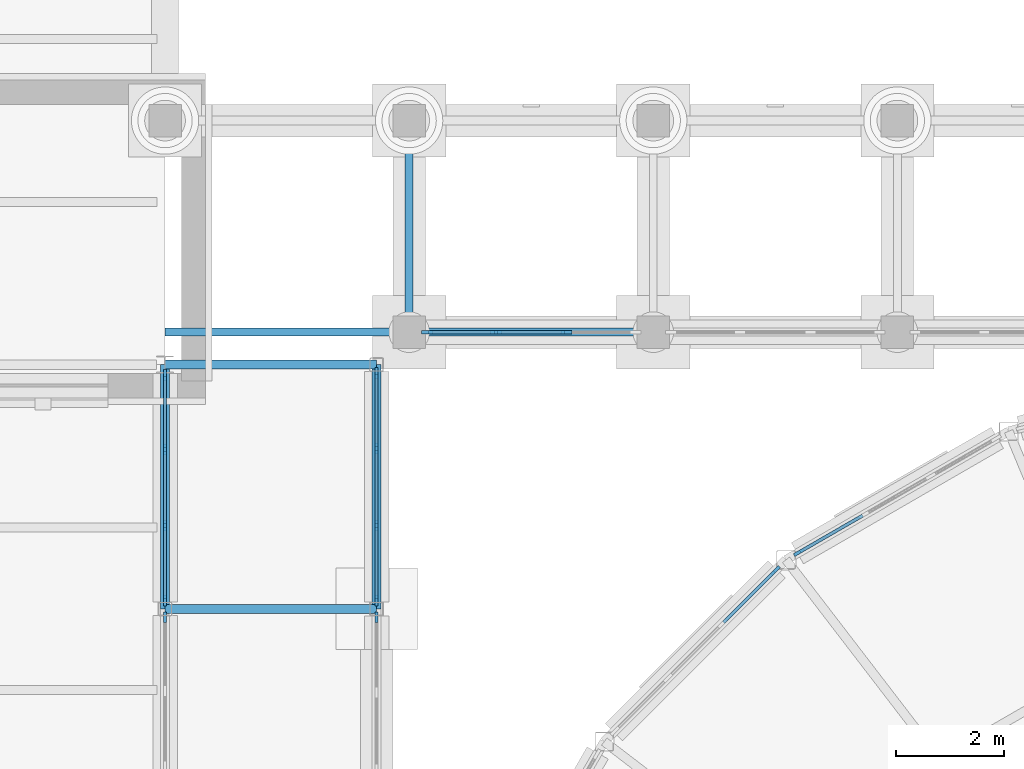
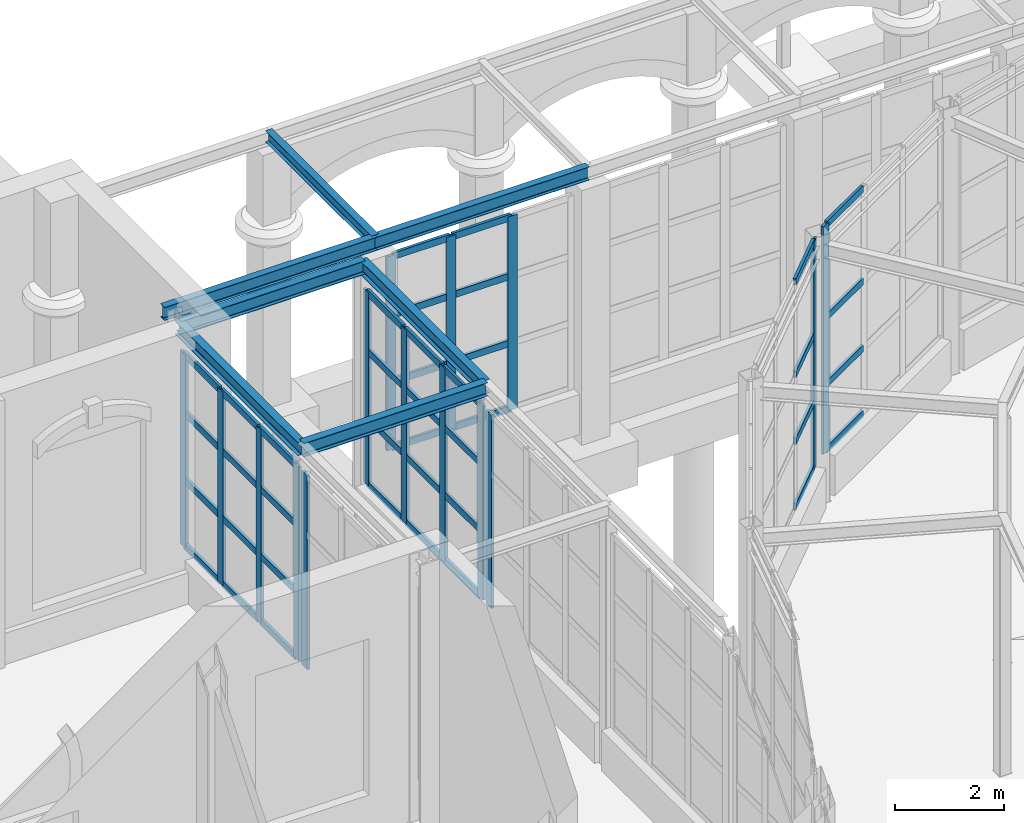
# One storey, part 33 of 106: 55 members, 7 beams, 7 elements without a shape of their own.
"""IFC4 building model written with IfcOpenShell, lengths in metres."""

from ifc_helpers import new_model, si_unit, direction, frame, origin, origin_2d, place, context, subcontext, project, spatial, rectangle, i_section, extrude, material, layer, layer_set, material_profile, profile_set, type_object, element, aggregate, save


model = new_model("IFC4")

# Units and contexts
model_context = context("Model", 3, precision=1e-05, world=origin(), true_north=direction((0.0, 1.0)))
body_context = subcontext(model_context, "Body", "Model", "MODEL_VIEW")
ifc_project = project(units=[si_unit("LENGTHUNIT", "METRE"), si_unit("AREAUNIT", "SQUARE_METRE"), si_unit("VOLUMEUNIT", "CUBIC_METRE"), si_unit("PLANEANGLEUNIT", "RADIAN"), si_unit("MASSUNIT", "GRAM", prefix="KILO")], contexts=[model_context])

# Site, building, storey
site_placement = place(None, origin())
site = spatial("IfcSite", under=ifc_project, at=site_placement, CompositionType="ELEMENT")
building_placement = place(site_placement, origin())
building = spatial("IfcBuilding", under=site, at=building_placement, Name="Hortulan Conservatory and Botanical Research Centre", CompositionType="ELEMENT")
storey_placement = place(building_placement, origin())
storey = spatial("IfcBuildingStorey", under=building, at=storey_placement, Name="L00", CompositionType="ELEMENT", Elevation=0.0)

# Beams
ifc_material_1 = material(Name="Steel Grade 300PLUS (AS/NZS 3679.1, 280 MPa minimum yield)", Category="steel")
ifc_material_profile_1 = material_profile(ifc_material_1, i_section(OverallWidth=0.14599609375, OverallDepth=0.251953125, WebThickness=0.006103515625, FlangeThickness=0.008544921875, FilletRadius=0.0087890625, at=origin_2d()), Name="250UB31.4")
ifc_profile_set_1 = profile_set([ifc_material_profile_1], Name="Steel Grade 300PLUS (AS/NZS 3679.1, 280 MPa minimum yield)")
beam_type_1 = type_object("IfcBeamType", Name="Arcade Cross Beam 250UB31.4", PredefinedType="BEAM", material=ifc_profile_set_1)
beam_placement = place(storey_placement, frame((36.0, 36.60009765625, 5.674072265625), z_axis=(0.0, 1.0, 0.0), x_axis=(-1.0, 0.0, 0.0)))
element("IfcBeam", 1, at=beam_placement, inside=storey, type_object=beam_type_1, Name="Arcade cross beam 19", PredefinedType="BEAM", context=body_context, shape_type="SweptSolid", body=[
    extrude(i_section(OverallWidth=0.14599609375, OverallDepth=0.251953125, WebThickness=0.006103515625, FlangeThickness=0.008544921875, FilletRadius=0.0087890625, at=origin_2d()), origin(), (0.0, 0.0, 1.0), 3.89990234375),
])
ifc_material_profile_2 = material_profile(ifc_material_1, i_section(OverallWidth=0.14892578125, OverallDepth=0.298095703125, WebThickness=0.005615234375, FlangeThickness=0.008056640625, FilletRadius=0.012939453125, at=origin_2d()), Name="310UB32.0")
ifc_profile_set_2 = profile_set([ifc_material_profile_2], Name="Steel Grade 300PLUS (AS/NZS 3679.1, 280 MPa minimum yield)")
beam_type_2 = type_object("IfcBeamType", Name="Arcade Rear Beam 310UB32.0", PredefinedType="BEAM", material=ifc_profile_set_2)
for number, where, z_axis, x_axis, name in (
    (2, (31.5, 36.60009765625, 5.65087890625), (1.0, 0.0, 0.0), (0.0, 1.0, 0.0), "Arcade rear beam 10"),
    (3, (36.0, 36.60009765625, 5.65087890625), (1.0, 0.0, 0.0), (0.0, 1.0, 0.0), "Arcade rear beam 11"),
):
    element("IfcBeam", number, at=place(storey_placement, frame(where, z_axis=z_axis, x_axis=x_axis)), inside=storey, type_object=beam_type_2, Name=name, PredefinedType="BEAM", context=body_context, shape_type="SweptSolid", body=[
        extrude(i_section(OverallWidth=0.14892578125, OverallDepth=0.298095703125, WebThickness=0.005615234375, FlangeThickness=0.008056640625, FilletRadius=0.012939453125, at=origin_2d()), origin(), (0.0, 0.0, 1.0), 4.5),
    ])

# Curtain wall, member
ifc_material_2 = material(Name="Bronze-finished aluminium", Category="aluminium")
ifc_layer = layer(ifc_material_2, 0.10009765625)
ifc_layer_set = layer_set([ifc_layer], Name="Bronze-framed Curtain Wall 1500 module")
curtain_wall_type = type_object("IfcCurtainWallType", Name="Bronze-framed Curtain Wall 1500 module", PredefinedType="NOTDEFINED", material=ifc_layer_set)
curtain_wall_1_placement = place(storey_placement, origin())
curtain_wall_1 = element("IfcCurtainWall", 4, at=curtain_wall_1_placement, inside=storey, type_object=curtain_wall_type, Name="Curtain wall", PredefinedType="NOTDEFINED")
ifc_material_profile_3 = material_profile(ifc_material_2, rectangle(XDim=0.06005859375, YDim=0.199951171875, at=origin_2d()), Name="Bronze Mullion 60x200")
ifc_profile_set_3 = profile_set([ifc_material_profile_3], Name="Bronze-finished aluminium")
member_type_1 = type_object("IfcMemberType", Name="Bronze Mullion 60x200", PredefinedType="MULLION", material=ifc_profile_set_3)
member_1_placement = place(storey_placement, frame((43.18115234375, 32.538330078125, 0.89990234375), z_axis=(0.0, 0.0, 1.0), x_axis=(-0.499981160235, 0.866036280655, 0.0)))
member_1 = element("IfcMember", 5, at=member_1_placement, type_object=member_type_1, Name="CW1 mullion 1", PredefinedType="MULLION", context=body_context, shape_type="SweptSolid", body=[
    extrude(rectangle(XDim=0.06005859375, YDim=0.199951171875, at=origin_2d()), origin(), (0.0, 0.0, 1.0), 5.10009765625),
])

curtain_wall_2_placement = place(storey_placement, origin())
curtain_wall_2 = element("IfcCurtainWall", 6, at=curtain_wall_2_placement, inside=storey, type_object=curtain_wall_type, Name="Curtain wall", PredefinedType="NOTDEFINED")
member_2_placement = place(storey_placement, frame((42.751953125, 32.207763671875, 0.89990234375), z_axis=(0.0, 0.0, 1.0), x_axis=(-0.707118558159, 0.707095004018, 0.0)))
member_2 = element("IfcMember", 7, at=member_2_placement, type_object=member_type_1, Name="CW1 mullion 4", PredefinedType="MULLION", context=body_context, shape_type="SweptSolid", body=[
    extrude(rectangle(XDim=0.06005859375, YDim=0.199951171875, at=origin_2d()), origin(), (0.0, 0.0, 1.0), 5.10009765625),
])

# Curtain wall, members
curtain_wall_3_placement = place(storey_placement, origin())
curtain_wall_3 = element("IfcCurtainWall", 8, at=curtain_wall_3_placement, inside=storey, type_object=curtain_wall_type, Name="Curtain wall", PredefinedType="NOTDEFINED")
member_3_placement = place(storey_placement, frame((35.39990234375, 35.844970703125, 0.89990234375), z_axis=(0.0, 0.0, 1.0), x_axis=(1.0, 0.0, 0.0)))
member_3 = element("IfcMember", 9, at=member_3_placement, type_object=member_type_1, Name="CW1 mullion 1", PredefinedType="MULLION", context=body_context, shape_type="SweptSolid", body=[
    extrude(rectangle(XDim=0.06005859375, YDim=0.199951171875, at=origin_2d()), origin(), (0.0, 0.0, 1.0), 4.340087890625),
])
member_4_placement = place(storey_placement, frame((35.39990234375, 34.458251953125, 0.89990234375), z_axis=(0.0, 0.0, 1.0), x_axis=(1.0, 0.0, 0.0)))
member_4 = element("IfcMember", 10, at=member_4_placement, type_object=member_type_1, Name="CW1 mullion 2", PredefinedType="MULLION", context=body_context, shape_type="SweptSolid", body=[
    extrude(rectangle(XDim=0.06005859375, YDim=0.199951171875, at=origin_2d()), origin(), (0.0, 0.0, 1.0), 4.340087890625),
])
member_5_placement = place(storey_placement, frame((35.39990234375, 33.041748046875, 0.89990234375), z_axis=(0.0, 0.0, 1.0), x_axis=(1.0, 0.0, 0.0)))
member_5 = element("IfcMember", 11, at=member_5_placement, type_object=member_type_1, Name="CW1 mullion 3", PredefinedType="MULLION", context=body_context, shape_type="SweptSolid", body=[
    extrude(rectangle(XDim=0.06005859375, YDim=0.199951171875, at=origin_2d()), origin(), (0.0, 0.0, 1.0), 4.340087890625),
])
member_6_placement = place(storey_placement, frame((35.39990234375, 31.655029296875, 0.89990234375), z_axis=(0.0, 0.0, 1.0), x_axis=(1.0, 0.0, 0.0)))
member_6 = element("IfcMember", 12, at=member_6_placement, type_object=member_type_1, Name="CW1 mullion 4", PredefinedType="MULLION", context=body_context, shape_type="SweptSolid", body=[
    extrude(rectangle(XDim=0.06005859375, YDim=0.199951171875, at=origin_2d()), origin(), (0.0, 0.0, 1.0), 4.340087890625),
])

# Curtain wall, member
curtain_wall_4_placement = place(storey_placement, origin())
curtain_wall_4 = element("IfcCurtainWall", 13, at=curtain_wall_4_placement, inside=storey, type_object=curtain_wall_type, Name="Curtain wall", PredefinedType="NOTDEFINED")
member_7_placement = place(storey_placement, frame((35.39990234375, 31.344970703125, 0.89990234375), z_axis=(0.0, 0.0, 1.0), x_axis=(1.0, 0.0, 0.0)))
member_7 = element("IfcMember", 14, at=member_7_placement, type_object=member_type_1, Name="CW1 mullion 1", PredefinedType="MULLION", context=body_context, shape_type="SweptSolid", body=[
    extrude(rectangle(XDim=0.06005859375, YDim=0.199951171875, at=origin_2d()), origin(), (0.0, 0.0, 1.0), 4.340087890625),
])
aggregate(curtain_wall_4, [member_7])

curtain_wall_5_placement = place(storey_placement, origin())
curtain_wall_5 = element("IfcCurtainWall", 15, at=curtain_wall_5_placement, inside=storey, type_object=curtain_wall_type, Name="Curtain wall", PredefinedType="NOTDEFINED")
member_8_placement = place(storey_placement, frame((31.5, 31.344970703125, 0.89990234375), z_axis=(0.0, 0.0, 1.0), x_axis=(-1.0, 0.0, 0.0)))
member_8 = element("IfcMember", 16, at=member_8_placement, type_object=member_type_1, Name="CW1 mullion 4", PredefinedType="MULLION", context=body_context, shape_type="SweptSolid", body=[
    extrude(rectangle(XDim=0.06005859375, YDim=0.199951171875, at=origin_2d()), origin(), (0.0, 0.0, 1.0), 4.340087890625),
])
aggregate(curtain_wall_5, [member_8])

# Curtain wall, members
curtain_wall_6_placement = place(storey_placement, origin())
curtain_wall_6 = element("IfcCurtainWall", 17, at=curtain_wall_6_placement, inside=storey, type_object=curtain_wall_type, Name="Curtain wall", PredefinedType="NOTDEFINED")
member_9_placement = place(storey_placement, frame((31.5, 31.655029296875, 0.89990234375), z_axis=(0.0, 0.0, 1.0), x_axis=(-1.0, 0.0, 0.0)))
member_9 = element("IfcMember", 18, at=member_9_placement, type_object=member_type_1, Name="CW1 mullion 1", PredefinedType="MULLION", context=body_context, shape_type="SweptSolid", body=[
    extrude(rectangle(XDim=0.06005859375, YDim=0.199951171875, at=origin_2d()), origin(), (0.0, 0.0, 1.0), 4.340087890625),
])
member_10_placement = place(storey_placement, frame((31.5, 33.02978515625, 0.89990234375), z_axis=(0.0, 0.0, 1.0), x_axis=(-1.0, 0.0, 0.0)))
member_10 = element("IfcMember", 19, at=member_10_placement, type_object=member_type_1, Name="CW1 mullion 2", PredefinedType="MULLION", context=body_context, shape_type="SweptSolid", body=[
    extrude(rectangle(XDim=0.06005859375, YDim=0.199951171875, at=origin_2d()), origin(), (0.0, 0.0, 1.0), 4.340087890625),
])
member_11_placement = place(storey_placement, frame((31.5, 34.4345703125, 0.89990234375), z_axis=(0.0, 0.0, 1.0), x_axis=(-1.0, 0.0, 0.0)))
member_11 = element("IfcMember", 20, at=member_11_placement, type_object=member_type_1, Name="CW1 mullion 3", PredefinedType="MULLION", context=body_context, shape_type="SweptSolid", body=[
    extrude(rectangle(XDim=0.06005859375, YDim=0.199951171875, at=origin_2d()), origin(), (0.0, 0.0, 1.0), 4.340087890625),
])
member_12_placement = place(storey_placement, frame((31.5, 35.8095703125, 0.89990234375), z_axis=(0.0, 0.0, 1.0), x_axis=(-1.0, 0.0, 0.0)))
member_12 = element("IfcMember", 21, at=member_12_placement, type_object=member_type_1, Name="CW1 mullion 4", PredefinedType="MULLION", context=body_context, shape_type="SweptSolid", body=[
    extrude(rectangle(XDim=0.06005859375, YDim=0.199951171875, at=origin_2d()), origin(), (0.0, 0.0, 1.0), 4.340087890625),
])

curtain_wall_7_placement = place(storey_placement, origin())
curtain_wall_7 = element("IfcCurtainWall", 22, at=curtain_wall_7_placement, inside=storey, type_object=curtain_wall_type, Name="Curtain wall", PredefinedType="NOTDEFINED")
member_13_placement = place(storey_placement, frame((36.330078125, 36.60009765625, 0.89990234375), z_axis=(0.0, 0.0, 1.0), x_axis=(0.0, 1.0, 0.0)))
member_13 = element("IfcMember", 23, at=member_13_placement, type_object=member_type_1, Name="CW1 mullion 1", PredefinedType="MULLION", context=body_context, shape_type="SweptSolid", body=[
    extrude(rectangle(XDim=0.06005859375, YDim=0.199951171875, at=origin_2d()), origin(), (0.0, 0.0, 1.0), 4.340087890625),
])
member_14_placement = place(storey_placement, frame((37.60009765625, 36.60009765625, 0.89990234375), z_axis=(0.0, 0.0, 1.0), x_axis=(0.0, 1.0, 0.0)))
member_14 = element("IfcMember", 24, at=member_14_placement, type_object=member_type_1, Name="CW1 mullion 2", PredefinedType="MULLION", context=body_context, shape_type="SweptSolid", body=[
    extrude(rectangle(XDim=0.06005859375, YDim=0.199951171875, at=origin_2d()), origin(), (0.0, 0.0, 1.0), 4.340087890625),
])
member_15_placement = place(storey_placement, frame((38.89990234375, 36.60009765625, 0.89990234375), z_axis=(0.0, 0.0, 1.0), x_axis=(0.0, 1.0, 0.0)))
member_15 = element("IfcMember", 25, at=member_15_placement, type_object=member_type_1, Name="CW1 mullion 3", PredefinedType="MULLION", context=body_context, shape_type="SweptSolid", body=[
    extrude(rectangle(XDim=0.06005859375, YDim=0.199951171875, at=origin_2d()), origin(), (0.0, 0.0, 1.0), 4.340087890625),
])

# Member
ifc_material_profile_4 = material_profile(ifc_material_2, rectangle(XDim=0.06005859375, YDim=0.14990234375, at=origin_2d()), Name="Bronze Transom 60x150")
ifc_profile_set_4 = profile_set([ifc_material_profile_4], Name="Bronze-finished aluminium")
member_type_2 = type_object("IfcMemberType", Name="Bronze Transom 60x150", PredefinedType="USERDEFINED", material=ifc_profile_set_4)
member_16_placement = place(storey_placement, frame((43.20703125, 32.553466796875, 0.929931640625), z_axis=(0.866066400931, 0.499928984136, 0.0), x_axis=(-0.499928984136, 0.866066400931, 0.0)))
member_16 = element("IfcMember", 26, at=member_16_placement, type_object=member_type_2, Name="CW1 transom 1.1", ObjectType="TRANSOM", PredefinedType="USERDEFINED", context=body_context, shape_type="SweptSolid", body=[
    extrude(rectangle(XDim=0.06005859375, YDim=0.14990234375, at=origin_2d()), origin(), (0.0, 0.0, 1.0), 1.330322265625),
])

member_17_placement = place(storey_placement, frame((43.20703125, 32.553466796875, 2.39990234375), z_axis=(0.866066400931, 0.499928984136, 0.0), x_axis=(-0.499928984136, 0.866066400931, 0.0)))
member_17 = element("IfcMember", 27, at=member_17_placement, type_object=member_type_2, Name="CW1 transom 1.2", ObjectType="TRANSOM", PredefinedType="USERDEFINED", context=body_context, shape_type="SweptSolid", body=[
    extrude(rectangle(XDim=0.06005859375, YDim=0.14990234375, at=origin_2d()), origin(), (0.0, 0.0, 1.0), 1.330322265625),
])

member_18_placement = place(storey_placement, frame((43.20703125, 32.553466796875, 3.89990234375), z_axis=(0.866066400931, 0.499928984136, 0.0), x_axis=(-0.499928984136, 0.866066400931, 0.0)))
member_18 = element("IfcMember", 28, at=member_18_placement, type_object=member_type_2, Name="CW1 transom 1.3", ObjectType="TRANSOM", PredefinedType="USERDEFINED", context=body_context, shape_type="SweptSolid", body=[
    extrude(rectangle(XDim=0.06005859375, YDim=0.14990234375, at=origin_2d()), origin(), (0.0, 0.0, 1.0), 1.330322265625),
])

member_19_placement = place(storey_placement, frame((43.20703125, 32.553466796875, 5.969970703125), z_axis=(0.866066400931, 0.499928984136, 0.0), x_axis=(-0.499928984136, 0.866066400931, 0.0)))
member_19 = element("IfcMember", 29, at=member_19_placement, type_object=member_type_2, Name="CW1 transom 1.4", ObjectType="TRANSOM", PredefinedType="USERDEFINED", context=body_context, shape_type="SweptSolid", body=[
    extrude(rectangle(XDim=0.06005859375, YDim=0.14990234375, at=origin_2d()), origin(), (0.0, 0.0, 1.0), 1.330322265625),
])

aggregate(curtain_wall_1, [member_1, member_16, member_17, member_18, member_19])

member_20_placement = place(storey_placement, frame((41.793701171875, 31.24951171875, 0.929931640625), z_axis=(0.707106781187, 0.707106781187, 0.0), x_axis=(-0.707106781187, 0.707106781187, 0.0)))
member_20 = element("IfcMember", 30, at=member_20_placement, type_object=member_type_2, Name="CW1 transom 3.1", ObjectType="TRANSOM", PredefinedType="USERDEFINED", context=body_context, shape_type="SweptSolid", body=[
    extrude(rectangle(XDim=0.06005859375, YDim=0.14990234375, at=origin_2d()), origin(), (0.0, 0.0, 1.0), 1.3251953125),
])

member_21_placement = place(storey_placement, frame((41.793701171875, 31.24951171875, 2.39990234375), z_axis=(0.707106781187, 0.707106781187, 0.0), x_axis=(-0.707106781187, 0.707106781187, 0.0)))
member_21 = element("IfcMember", 31, at=member_21_placement, type_object=member_type_2, Name="CW1 transom 3.2", ObjectType="TRANSOM", PredefinedType="USERDEFINED", context=body_context, shape_type="SweptSolid", body=[
    extrude(rectangle(XDim=0.06005859375, YDim=0.14990234375, at=origin_2d()), origin(), (0.0, 0.0, 1.0), 1.3251953125),
])

member_22_placement = place(storey_placement, frame((41.793701171875, 31.24951171875, 3.89990234375), z_axis=(0.707106781187, 0.707106781187, 0.0), x_axis=(-0.707106781187, 0.707106781187, 0.0)))
member_22 = element("IfcMember", 32, at=member_22_placement, type_object=member_type_2, Name="CW1 transom 3.3", ObjectType="TRANSOM", PredefinedType="USERDEFINED", context=body_context, shape_type="SweptSolid", body=[
    extrude(rectangle(XDim=0.06005859375, YDim=0.14990234375, at=origin_2d()), origin(), (0.0, 0.0, 1.0), 1.3251953125),
])

member_23_placement = place(storey_placement, frame((41.793701171875, 31.24951171875, 5.969970703125), z_axis=(0.707106781187, 0.707106781187, 0.0), x_axis=(-0.707106781187, 0.707106781187, 0.0)))
member_23 = element("IfcMember", 33, at=member_23_placement, type_object=member_type_2, Name="CW1 transom 3.4", ObjectType="TRANSOM", PredefinedType="USERDEFINED", context=body_context, shape_type="SweptSolid", body=[
    extrude(rectangle(XDim=0.06005859375, YDim=0.14990234375, at=origin_2d()), origin(), (0.0, 0.0, 1.0), 1.3251953125),
])

aggregate(curtain_wall_2, [member_2, member_20, member_21, member_22, member_23])

member_24_placement = place(storey_placement, frame((35.39990234375, 35.81494140625, 0.929931640625), z_axis=(0.0, -1.0, 0.0), x_axis=(1.0, 0.0, 0.0)))
member_24 = element("IfcMember", 34, at=member_24_placement, type_object=member_type_2, Name="CW1 transom 1.1", ObjectType="TRANSOM", PredefinedType="USERDEFINED", context=body_context, shape_type="SweptSolid", body=[
    extrude(rectangle(XDim=0.06005859375, YDim=0.14990234375, at=origin_2d()), origin(), (0.0, 0.0, 1.0), 1.32666015625),
])

member_25_placement = place(storey_placement, frame((35.39990234375, 35.81494140625, 2.39990234375), z_axis=(0.0, -1.0, 0.0), x_axis=(1.0, 0.0, 0.0)))
member_25 = element("IfcMember", 35, at=member_25_placement, type_object=member_type_2, Name="CW1 transom 1.2", ObjectType="TRANSOM", PredefinedType="USERDEFINED", context=body_context, shape_type="SweptSolid", body=[
    extrude(rectangle(XDim=0.06005859375, YDim=0.14990234375, at=origin_2d()), origin(), (0.0, 0.0, 1.0), 1.32666015625),
])

member_26_placement = place(storey_placement, frame((35.39990234375, 35.81494140625, 3.89990234375), z_axis=(0.0, -1.0, 0.0), x_axis=(1.0, 0.0, 0.0)))
member_26 = element("IfcMember", 36, at=member_26_placement, type_object=member_type_2, Name="CW1 transom 1.3", ObjectType="TRANSOM", PredefinedType="USERDEFINED", context=body_context, shape_type="SweptSolid", body=[
    extrude(rectangle(XDim=0.06005859375, YDim=0.14990234375, at=origin_2d()), origin(), (0.0, 0.0, 1.0), 1.32666015625),
])

member_27_placement = place(storey_placement, frame((35.39990234375, 35.81494140625, 5.2099609375), z_axis=(0.0, -1.0, 0.0), x_axis=(1.0, 0.0, 0.0)))
member_27 = element("IfcMember", 37, at=member_27_placement, type_object=member_type_2, Name="CW1 transom 1.4", ObjectType="TRANSOM", PredefinedType="USERDEFINED", context=body_context, shape_type="SweptSolid", body=[
    extrude(rectangle(XDim=0.06005859375, YDim=0.14990234375, at=origin_2d()), origin(), (0.0, 0.0, 1.0), 1.32666015625),
])

member_28_placement = place(storey_placement, frame((35.39990234375, 34.42822265625, 0.929931640625), z_axis=(0.0, -1.0, 0.0), x_axis=(1.0, 0.0, 0.0)))
member_28 = element("IfcMember", 38, at=member_28_placement, type_object=member_type_2, Name="CW1 transom 2.1", ObjectType="TRANSOM", PredefinedType="USERDEFINED", context=body_context, shape_type="SweptSolid", body=[
    extrude(rectangle(XDim=0.06005859375, YDim=0.14990234375, at=origin_2d()), origin(), (0.0, 0.0, 1.0), 1.3564453125),
])

member_29_placement = place(storey_placement, frame((35.39990234375, 34.42822265625, 2.39990234375), z_axis=(0.0, -1.0, 0.0), x_axis=(1.0, 0.0, 0.0)))
member_29 = element("IfcMember", 39, at=member_29_placement, type_object=member_type_2, Name="CW1 transom 2.2", ObjectType="TRANSOM", PredefinedType="USERDEFINED", context=body_context, shape_type="SweptSolid", body=[
    extrude(rectangle(XDim=0.06005859375, YDim=0.14990234375, at=origin_2d()), origin(), (0.0, 0.0, 1.0), 1.3564453125),
])

member_30_placement = place(storey_placement, frame((35.39990234375, 34.42822265625, 3.89990234375), z_axis=(0.0, -1.0, 0.0), x_axis=(1.0, 0.0, 0.0)))
member_30 = element("IfcMember", 40, at=member_30_placement, type_object=member_type_2, Name="CW1 transom 2.3", ObjectType="TRANSOM", PredefinedType="USERDEFINED", context=body_context, shape_type="SweptSolid", body=[
    extrude(rectangle(XDim=0.06005859375, YDim=0.14990234375, at=origin_2d()), origin(), (0.0, 0.0, 1.0), 1.3564453125),
])

member_31_placement = place(storey_placement, frame((35.39990234375, 34.42822265625, 5.2099609375), z_axis=(0.0, -1.0, 0.0), x_axis=(1.0, 0.0, 0.0)))
member_31 = element("IfcMember", 41, at=member_31_placement, type_object=member_type_2, Name="CW1 transom 2.4", ObjectType="TRANSOM", PredefinedType="USERDEFINED", context=body_context, shape_type="SweptSolid", body=[
    extrude(rectangle(XDim=0.06005859375, YDim=0.14990234375, at=origin_2d()), origin(), (0.0, 0.0, 1.0), 1.3564453125),
])

member_32_placement = place(storey_placement, frame((35.39990234375, 33.01171875, 0.929931640625), z_axis=(0.0, -1.0, 0.0), x_axis=(1.0, 0.0, 0.0)))
member_32 = element("IfcMember", 42, at=member_32_placement, type_object=member_type_2, Name="CW1 transom 3.1", ObjectType="TRANSOM", PredefinedType="USERDEFINED", context=body_context, shape_type="SweptSolid", body=[
    extrude(rectangle(XDim=0.06005859375, YDim=0.14990234375, at=origin_2d()), origin(), (0.0, 0.0, 1.0), 1.32666015625),
])

member_33_placement = place(storey_placement, frame((35.39990234375, 33.01171875, 2.39990234375), z_axis=(0.0, -1.0, 0.0), x_axis=(1.0, 0.0, 0.0)))
member_33 = element("IfcMember", 43, at=member_33_placement, type_object=member_type_2, Name="CW1 transom 3.2", ObjectType="TRANSOM", PredefinedType="USERDEFINED", context=body_context, shape_type="SweptSolid", body=[
    extrude(rectangle(XDim=0.06005859375, YDim=0.14990234375, at=origin_2d()), origin(), (0.0, 0.0, 1.0), 1.32666015625),
])

member_34_placement = place(storey_placement, frame((35.39990234375, 33.01171875, 3.89990234375), z_axis=(0.0, -1.0, 0.0), x_axis=(1.0, 0.0, 0.0)))
member_34 = element("IfcMember", 44, at=member_34_placement, type_object=member_type_2, Name="CW1 transom 3.3", ObjectType="TRANSOM", PredefinedType="USERDEFINED", context=body_context, shape_type="SweptSolid", body=[
    extrude(rectangle(XDim=0.06005859375, YDim=0.14990234375, at=origin_2d()), origin(), (0.0, 0.0, 1.0), 1.32666015625),
])

member_35_placement = place(storey_placement, frame((35.39990234375, 33.01171875, 5.2099609375), z_axis=(0.0, -1.0, 0.0), x_axis=(1.0, 0.0, 0.0)))
member_35 = element("IfcMember", 45, at=member_35_placement, type_object=member_type_2, Name="CW1 transom 3.4", ObjectType="TRANSOM", PredefinedType="USERDEFINED", context=body_context, shape_type="SweptSolid", body=[
    extrude(rectangle(XDim=0.06005859375, YDim=0.14990234375, at=origin_2d()), origin(), (0.0, 0.0, 1.0), 1.32666015625),
])

aggregate(curtain_wall_3, [member_3, member_4, member_5, member_6, member_24, member_25, member_26, member_27, member_28, member_29, member_30, member_31, member_32, member_33, member_34, member_35])

member_36_placement = place(storey_placement, frame((31.5, 31.68505859375, 0.929931640625), z_axis=(0.0, 1.0, 0.0), x_axis=(-1.0, 0.0, 0.0)))
member_36 = element("IfcMember", 46, at=member_36_placement, type_object=member_type_2, Name="CW1 transom 1.1", ObjectType="TRANSOM", PredefinedType="USERDEFINED", context=body_context, shape_type="SweptSolid", body=[
    extrude(rectangle(XDim=0.06005859375, YDim=0.14990234375, at=origin_2d()), origin(), (0.0, 0.0, 1.0), 1.314697265625),
])

member_37_placement = place(storey_placement, frame((31.5, 31.68505859375, 2.39990234375), z_axis=(0.0, 1.0, 0.0), x_axis=(-1.0, 0.0, 0.0)))
member_37 = element("IfcMember", 47, at=member_37_placement, type_object=member_type_2, Name="CW1 transom 1.2", ObjectType="TRANSOM", PredefinedType="USERDEFINED", context=body_context, shape_type="SweptSolid", body=[
    extrude(rectangle(XDim=0.06005859375, YDim=0.14990234375, at=origin_2d()), origin(), (0.0, 0.0, 1.0), 1.314697265625),
])

member_38_placement = place(storey_placement, frame((31.5, 31.68505859375, 3.89990234375), z_axis=(0.0, 1.0, 0.0), x_axis=(-1.0, 0.0, 0.0)))
member_38 = element("IfcMember", 48, at=member_38_placement, type_object=member_type_2, Name="CW1 transom 1.3", ObjectType="TRANSOM", PredefinedType="USERDEFINED", context=body_context, shape_type="SweptSolid", body=[
    extrude(rectangle(XDim=0.06005859375, YDim=0.14990234375, at=origin_2d()), origin(), (0.0, 0.0, 1.0), 1.314697265625),
])

member_39_placement = place(storey_placement, frame((31.5, 31.68505859375, 5.2099609375), z_axis=(0.0, 1.0, 0.0), x_axis=(-1.0, 0.0, 0.0)))
member_39 = element("IfcMember", 49, at=member_39_placement, type_object=member_type_2, Name="CW1 transom 1.4", ObjectType="TRANSOM", PredefinedType="USERDEFINED", context=body_context, shape_type="SweptSolid", body=[
    extrude(rectangle(XDim=0.06005859375, YDim=0.14990234375, at=origin_2d()), origin(), (0.0, 0.0, 1.0), 1.314697265625),
])

member_40_placement = place(storey_placement, frame((31.5, 33.059814453125, 0.929931640625), z_axis=(0.0, 1.0, 0.0), x_axis=(-1.0, 0.0, 0.0)))
member_40 = element("IfcMember", 50, at=member_40_placement, type_object=member_type_2, Name="CW1 transom 2.1", ObjectType="TRANSOM", PredefinedType="USERDEFINED", context=body_context, shape_type="SweptSolid", body=[
    extrude(rectangle(XDim=0.06005859375, YDim=0.14990234375, at=origin_2d()), origin(), (0.0, 0.0, 1.0), 1.344970703125),
])

member_41_placement = place(storey_placement, frame((31.5, 33.059814453125, 2.39990234375), z_axis=(0.0, 1.0, 0.0), x_axis=(-1.0, 0.0, 0.0)))
member_41 = element("IfcMember", 51, at=member_41_placement, type_object=member_type_2, Name="CW1 transom 2.2", ObjectType="TRANSOM", PredefinedType="USERDEFINED", context=body_context, shape_type="SweptSolid", body=[
    extrude(rectangle(XDim=0.06005859375, YDim=0.14990234375, at=origin_2d()), origin(), (0.0, 0.0, 1.0), 1.344970703125),
])

member_42_placement = place(storey_placement, frame((31.5, 33.059814453125, 3.89990234375), z_axis=(0.0, 1.0, 0.0), x_axis=(-1.0, 0.0, 0.0)))
member_42 = element("IfcMember", 52, at=member_42_placement, type_object=member_type_2, Name="CW1 transom 2.3", ObjectType="TRANSOM", PredefinedType="USERDEFINED", context=body_context, shape_type="SweptSolid", body=[
    extrude(rectangle(XDim=0.06005859375, YDim=0.14990234375, at=origin_2d()), origin(), (0.0, 0.0, 1.0), 1.344970703125),
])

member_43_placement = place(storey_placement, frame((31.5, 33.059814453125, 5.2099609375), z_axis=(0.0, 1.0, 0.0), x_axis=(-1.0, 0.0, 0.0)))
member_43 = element("IfcMember", 53, at=member_43_placement, type_object=member_type_2, Name="CW1 transom 2.4", ObjectType="TRANSOM", PredefinedType="USERDEFINED", context=body_context, shape_type="SweptSolid", body=[
    extrude(rectangle(XDim=0.06005859375, YDim=0.14990234375, at=origin_2d()), origin(), (0.0, 0.0, 1.0), 1.344970703125),
])

member_44_placement = place(storey_placement, frame((31.5, 34.464599609375, 0.929931640625), z_axis=(0.0, 1.0, 0.0), x_axis=(-1.0, 0.0, 0.0)))
member_44 = element("IfcMember", 54, at=member_44_placement, type_object=member_type_2, Name="CW1 transom 3.1", ObjectType="TRANSOM", PredefinedType="USERDEFINED", context=body_context, shape_type="SweptSolid", body=[
    extrude(rectangle(XDim=0.06005859375, YDim=0.14990234375, at=origin_2d()), origin(), (0.0, 0.0, 1.0), 1.31494140625),
])

member_45_placement = place(storey_placement, frame((31.5, 34.464599609375, 2.39990234375), z_axis=(0.0, 1.0, 0.0), x_axis=(-1.0, 0.0, 0.0)))
member_45 = element("IfcMember", 55, at=member_45_placement, type_object=member_type_2, Name="CW1 transom 3.2", ObjectType="TRANSOM", PredefinedType="USERDEFINED", context=body_context, shape_type="SweptSolid", body=[
    extrude(rectangle(XDim=0.06005859375, YDim=0.14990234375, at=origin_2d()), origin(), (0.0, 0.0, 1.0), 1.31494140625),
])

member_46_placement = place(storey_placement, frame((31.5, 34.464599609375, 3.89990234375), z_axis=(0.0, 1.0, 0.0), x_axis=(-1.0, 0.0, 0.0)))
member_46 = element("IfcMember", 56, at=member_46_placement, type_object=member_type_2, Name="CW1 transom 3.3", ObjectType="TRANSOM", PredefinedType="USERDEFINED", context=body_context, shape_type="SweptSolid", body=[
    extrude(rectangle(XDim=0.06005859375, YDim=0.14990234375, at=origin_2d()), origin(), (0.0, 0.0, 1.0), 1.31494140625),
])

member_47_placement = place(storey_placement, frame((31.5, 34.464599609375, 5.2099609375), z_axis=(0.0, 1.0, 0.0), x_axis=(-1.0, 0.0, 0.0)))
member_47 = element("IfcMember", 57, at=member_47_placement, type_object=member_type_2, Name="CW1 transom 3.4", ObjectType="TRANSOM", PredefinedType="USERDEFINED", context=body_context, shape_type="SweptSolid", body=[
    extrude(rectangle(XDim=0.06005859375, YDim=0.14990234375, at=origin_2d()), origin(), (0.0, 0.0, 1.0), 1.31494140625),
])

aggregate(curtain_wall_6, [member_9, member_10, member_11, member_12, member_36, member_37, member_38, member_39, member_40, member_41, member_42, member_43, member_44, member_45, member_46, member_47])

member_48_placement = place(storey_placement, frame((36.360107421875, 36.60009765625, 0.929931640625), z_axis=(1.0, 0.0, 0.0), x_axis=(0.0, 1.0, 0.0)))
member_48 = element("IfcMember", 58, at=member_48_placement, type_object=member_type_2, Name="CW1 transom 1.1", ObjectType="TRANSOM", PredefinedType="USERDEFINED", context=body_context, shape_type="SweptSolid", body=[
    extrude(rectangle(XDim=0.06005859375, YDim=0.14990234375, at=origin_2d()), origin(), (0.0, 0.0, 1.0), 1.2099609375),
])

member_49_placement = place(storey_placement, frame((36.360107421875, 36.60009765625, 2.39990234375), z_axis=(1.0, 0.0, 0.0), x_axis=(0.0, 1.0, 0.0)))
member_49 = element("IfcMember", 59, at=member_49_placement, type_object=member_type_2, Name="CW1 transom 1.2", ObjectType="TRANSOM", PredefinedType="USERDEFINED", context=body_context, shape_type="SweptSolid", body=[
    extrude(rectangle(XDim=0.06005859375, YDim=0.14990234375, at=origin_2d()), origin(), (0.0, 0.0, 1.0), 1.2099609375),
])

member_50_placement = place(storey_placement, frame((36.360107421875, 36.60009765625, 3.89990234375), z_axis=(1.0, 0.0, 0.0), x_axis=(0.0, 1.0, 0.0)))
member_50 = element("IfcMember", 60, at=member_50_placement, type_object=member_type_2, Name="CW1 transom 1.3", ObjectType="TRANSOM", PredefinedType="USERDEFINED", context=body_context, shape_type="SweptSolid", body=[
    extrude(rectangle(XDim=0.06005859375, YDim=0.14990234375, at=origin_2d()), origin(), (0.0, 0.0, 1.0), 1.2099609375),
])

member_51_placement = place(storey_placement, frame((36.360107421875, 36.60009765625, 5.2099609375), z_axis=(1.0, 0.0, 0.0), x_axis=(0.0, 1.0, 0.0)))
member_51 = element("IfcMember", 61, at=member_51_placement, type_object=member_type_2, Name="CW1 transom 1.4", ObjectType="TRANSOM", PredefinedType="USERDEFINED", context=body_context, shape_type="SweptSolid", body=[
    extrude(rectangle(XDim=0.06005859375, YDim=0.14990234375, at=origin_2d()), origin(), (0.0, 0.0, 1.0), 1.2099609375),
])

member_52_placement = place(storey_placement, frame((37.6298828125, 36.60009765625, 0.929931640625), z_axis=(1.0, 0.0, 0.0), x_axis=(0.0, 1.0, 0.0)))
member_52 = element("IfcMember", 62, at=member_52_placement, type_object=member_type_2, Name="CW1 transom 2.1", ObjectType="TRANSOM", PredefinedType="USERDEFINED", context=body_context, shape_type="SweptSolid", body=[
    extrude(rectangle(XDim=0.06005859375, YDim=0.14990234375, at=origin_2d()), origin(), (0.0, 0.0, 1.0), 1.240234375),
])

member_53_placement = place(storey_placement, frame((37.6298828125, 36.60009765625, 2.39990234375), z_axis=(1.0, 0.0, 0.0), x_axis=(0.0, 1.0, 0.0)))
member_53 = element("IfcMember", 63, at=member_53_placement, type_object=member_type_2, Name="CW1 transom 2.2", ObjectType="TRANSOM", PredefinedType="USERDEFINED", context=body_context, shape_type="SweptSolid", body=[
    extrude(rectangle(XDim=0.06005859375, YDim=0.14990234375, at=origin_2d()), origin(), (0.0, 0.0, 1.0), 1.240234375),
])

member_54_placement = place(storey_placement, frame((37.6298828125, 36.60009765625, 3.89990234375), z_axis=(1.0, 0.0, 0.0), x_axis=(0.0, 1.0, 0.0)))
member_54 = element("IfcMember", 64, at=member_54_placement, type_object=member_type_2, Name="CW1 transom 2.3", ObjectType="TRANSOM", PredefinedType="USERDEFINED", context=body_context, shape_type="SweptSolid", body=[
    extrude(rectangle(XDim=0.06005859375, YDim=0.14990234375, at=origin_2d()), origin(), (0.0, 0.0, 1.0), 1.240234375),
])

member_55_placement = place(storey_placement, frame((37.6298828125, 36.60009765625, 5.2099609375), z_axis=(1.0, 0.0, 0.0), x_axis=(0.0, 1.0, 0.0)))
member_55 = element("IfcMember", 65, at=member_55_placement, type_object=member_type_2, Name="CW1 transom 2.4", ObjectType="TRANSOM", PredefinedType="USERDEFINED", context=body_context, shape_type="SweptSolid", body=[
    extrude(rectangle(XDim=0.06005859375, YDim=0.14990234375, at=origin_2d()), origin(), (0.0, 0.0, 1.0), 1.240234375),
])

aggregate(curtain_wall_7, [member_13, member_14, member_15, member_48, member_49, member_50, member_51, member_52, member_53, member_54, member_55])

# Beams
ifc_material_profile_5 = material_profile(ifc_material_1, i_section(OverallWidth=0.1650390625, OverallDepth=0.303955078125, WebThickness=0.006103515625, FlangeThickness=0.01025390625, FilletRadius=0.011474609375, at=origin_2d()), Name="310UB40.4")
ifc_profile_set_5 = profile_set([ifc_material_profile_5], Name="Steel Grade 300PLUS (AS/NZS 3679.1, 280 MPa minimum yield)")
beam_type_3 = type_object("IfcBeamType", Name="Head Link Beam 310UB40.4", PredefinedType="BEAM", material=ifc_profile_set_5)
for number, where, z_axis, x_axis, name in (
    (66, (31.5, 31.5, 5.697998046875), (0.0, 1.0, 0.0), (-1.0, 0.0, 0.0), "HW passage beam 5"),
    (67, (35.39990234375, 31.5, 5.697998046875), (0.0, 1.0, 0.0), (-1.0, 0.0, 0.0), "HW passage beam 6"),
):
    element("IfcBeam", number, at=place(storey_placement, frame(where, z_axis=z_axis, x_axis=x_axis)), inside=storey, type_object=beam_type_3, Name=name, PredefinedType="BEAM", context=body_context, shape_type="SweptSolid", body=[
        extrude(i_section(OverallWidth=0.1650390625, OverallDepth=0.303955078125, WebThickness=0.006103515625, FlangeThickness=0.01025390625, FilletRadius=0.011474609375, at=origin_2d()), origin(), (0.0, 0.0, 1.0), 4.5),
    ])
for number, where, z_axis, x_axis, name in (
    (68, (31.5, 31.5, 5.697998046875), (1.0, 0.0, 0.0), (0.0, 1.0, 0.0), "HW passage beam 8"),
    (69, (31.5, 36.0, 5.697998046875), (1.0, 0.0, 0.0), (0.0, 1.0, 0.0), "HW passage beam 9"),
):
    element("IfcBeam", number, at=place(storey_placement, frame(where, z_axis=z_axis, x_axis=x_axis)), inside=storey, type_object=beam_type_3, Name=name, PredefinedType="BEAM", context=body_context, shape_type="SweptSolid", body=[
        extrude(i_section(OverallWidth=0.1650390625, OverallDepth=0.303955078125, WebThickness=0.006103515625, FlangeThickness=0.01025390625, FilletRadius=0.011474609375, at=origin_2d()), origin(), (0.0, 0.0, 1.0), 3.89990234375),
    ])

save(model, "model.ifc")
